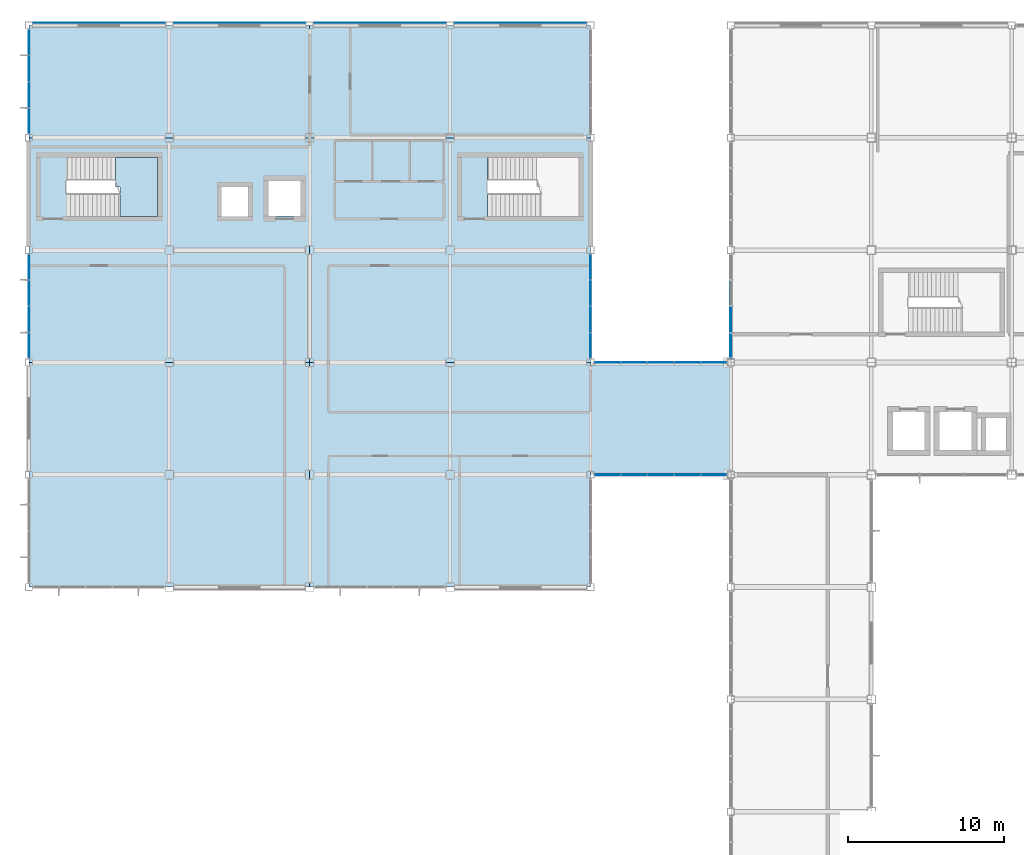
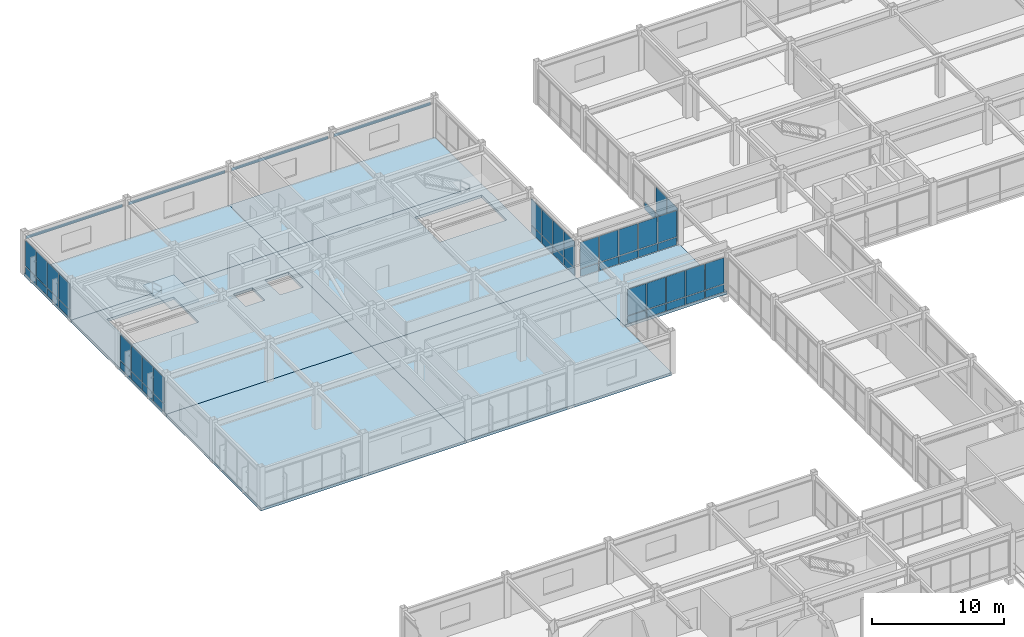
# One storey, part 94 of 122: 53 plates, 8 slabs, 7 elements without a shape of their own.
"""IFC4 building model written with IfcOpenShell, lengths in metres."""

import ifcopenshell
import ifcopenshell.guid

model = None  # the IFC model being written
_history = None  # IfcOwnerHistory: only IFC2X3 demands one
_inside = {}  # id of a spatial element -> (the spatial element, [elements in it])
_under = {}  # id of a project, library or spatial element -> (it, [spatial elements below it])
_declared = {}  # id of a project -> (the project, [libraries it declares])
_typed = {}  # id of a type object -> (the type object, [elements of that type])
_made_of = {}  # id of a material, layer set ... -> (it, [elements and type objects made of it])


def new_model(schema):
    """Start an empty IFC model of exactly this schema.

    Asked for "IFC4X3", IfcOpenShell would pick the latest addendum, in which some entities
    have other attributes; the version numbers below select the first issue.
    IFC2X3 requires an IfcOwnerHistory on every rooted entity: one is made here for all.
    """
    global model, _history
    if schema == "IFC4X3":
        model = ifcopenshell.file(schema_version=(4, 3, 0, 0))
    else:
        model = ifcopenshell.file(schema=schema)
    _inside.clear()
    _under.clear()
    _declared.clear()
    _typed.clear()
    _made_of.clear()
    _history = None
    if model.schema == "IFC2X3":
        org = make("IfcOrganization", Name="unknown")
        user = make(
            "IfcPersonAndOrganization",
            ThePerson=make("IfcPerson", FamilyName="unknown"),
            TheOrganization=org,
        )
        app = make(
            "IfcApplication",
            ApplicationDeveloper=org,
            Version="unknown",
            ApplicationFullName="unknown",
            ApplicationIdentifier="unknown",
        )
        _history = make(
            "IfcOwnerHistory",
            OwningUser=user,
            OwningApplication=app,
            ChangeAction="ADDED",
            CreationDate=0,
        )
    return model


def make(cls, **values):
    """One entity of the class cls with the attributes given. An attribute that is None is left unset."""
    return model.create_entity(
        cls, **{name: value for name, value in values.items() if value is not None}
    )


def rooted(cls, **values):
    """An entity with a GlobalId (a new one), such as an element, a storey or a relation."""
    return make(cls, GlobalId=ifcopenshell.guid.new(), OwnerHistory=_history, **values)


def si_unit(unit_type, name, prefix=None):
    """IfcSIUnit, for example si_unit("LENGTHUNIT", "METRE", prefix="MILLI")."""
    return make("IfcSIUnit", UnitType=unit_type, Prefix=prefix, Name=name)


def assignment(units):
    """IfcUnitAssignment: the units of a project."""
    return None if units is None else make("IfcUnitAssignment", Units=units)


def point(xyz):
    """IfcCartesianPoint."""
    return None if xyz is None else make("IfcCartesianPoint", Coordinates=xyz)


def direction(xyz):
    """IfcDirection."""
    return None if xyz is None else make("IfcDirection", DirectionRatios=xyz)


def frame(location, z_axis=None, x_axis=None):
    """IfcAxis2Placement3D, a coordinate frame: its origin and axes. An axis left out is left unset."""
    return make(
        "IfcAxis2Placement3D",
        Location=point(location),
        Axis=direction(z_axis),
        RefDirection=direction(x_axis),
    )


def frame_2d(location, x_axis=None):
    """IfcAxis2Placement2D, a coordinate frame in the plane: its origin and x axis."""
    return make(
        "IfcAxis2Placement2D", Location=point(location), RefDirection=direction(x_axis)
    )


def origin():
    """The frame at (0, 0, 0) with its axes left unset."""
    return frame((0.0, 0.0, 0.0))


def origin_2d():
    """The frame at (0, 0) in the plane with its x axis left unset."""
    return frame_2d((0.0, 0.0))


def place(relative_to, where):
    """IfcLocalPlacement: puts the frame where relative to a parent placement (None: the world)."""
    return make(
        "IfcLocalPlacement", PlacementRelTo=relative_to, RelativePlacement=where
    )


def context(
    kind, dimensions, precision=None, world=None, true_north=None, identifier=None
):
    """IfcGeometricRepresentationContext, for example the 3D "Model" context."""
    return make(
        "IfcGeometricRepresentationContext",
        ContextIdentifier=identifier,
        ContextType=kind,
        CoordinateSpaceDimension=dimensions,
        Precision=precision,
        WorldCoordinateSystem=world,
        TrueNorth=true_north,
    )


def subcontext(parent, identifier, kind, view, scale=None):
    """IfcGeometricRepresentationSubContext, for example "Body" below "Model"."""
    return make(
        "IfcGeometricRepresentationSubContext",
        ContextIdentifier=identifier,
        ContextType=kind,
        ParentContext=parent,
        TargetScale=scale,
        TargetView=view,
    )


def project(units=None, contexts=None):
    """IfcProject with its units and contexts."""
    return rooted(
        "IfcProject",
        Name="project",
        RepresentationContexts=contexts,
        UnitsInContext=assignment(units),
    )


def spatial(cls, under=None, at=None, **own):
    """A site, building, storey or space (cls), placed at a placement, below another one or the project."""
    s = rooted(cls, ObjectPlacement=at, **own)
    if under is not None:
        _under.setdefault(under.id(), (under, []))[1].append(s)
    return s


def polyline(points):
    """IfcPolyline through the points."""
    return make("IfcPolyline", Points=[point(p) for p in points])


def profile(cls, at=None, kind="AREA", **sizes):
    """A parametric profile (cls). Its sizes go by their IFC names, for example OverallWidth=200.0."""
    return make(cls, ProfileType=kind, Position=at, **sizes)


def rectangle(**sizes):
    """IfcRectangleProfileDef."""
    return profile("IfcRectangleProfileDef", **sizes)


def outline(outer, holes=None, kind="AREA"):
    """IfcArbitraryClosedProfileDef: a profile drawn as a closed curve; with holes, ...WithVoids."""
    if holes is None:
        return make("IfcArbitraryClosedProfileDef", ProfileType=kind, OuterCurve=outer)
    return make(
        "IfcArbitraryProfileDefWithVoids",
        ProfileType=kind,
        OuterCurve=outer,
        InnerCurves=holes,
    )


def extrude(swept, where, along, depth):
    """IfcExtrudedAreaSolid: the profile swept, set in the frame where, extruded along a direction by depth."""
    return make(
        "IfcExtrudedAreaSolid",
        SweptArea=swept,
        Position=where,
        ExtrudedDirection=direction(along),
        Depth=depth,
    )


def shape(context_of_items, identifier, shape_type, items):
    """IfcShapeRepresentation: the items that make up one representation, for example the "Body"."""
    return make(
        "IfcShapeRepresentation",
        ContextOfItems=context_of_items,
        RepresentationIdentifier=identifier,
        RepresentationType=shape_type,
        Items=items,
    )


def material(Name=None, Category=None):
    """IfcMaterial."""
    return make("IfcMaterial", Name=Name, Category=Category)


def layer(
    of_material, thickness, ventilated=None, Name=None, Category=None, Priority=None
):
    """IfcMaterialLayer: one layer of a wall or slab, of a material (None: an air gap)."""
    return make(
        "IfcMaterialLayer",
        Material=of_material,
        LayerThickness=thickness,
        IsVentilated=ventilated,
        Name=Name,
        Category=Category,
        Priority=Priority,
    )


def layer_set(layers, Name=None):
    """IfcMaterialLayerSet."""
    return make("IfcMaterialLayerSet", MaterialLayers=layers, LayerSetName=Name)


def made_of(thing, what):
    """Note that an element or type object is made of a material, layer set ...; save() writes the relation."""
    if what is not None:
        _made_of.setdefault(what.id(), (what, []))[1].append(thing)
    return thing


def type_object(cls, material=None, **own):
    """A type object (cls), such as IfcWallType, which elements share."""
    return made_of(rooted(cls, **own), material)


def element(
    cls,
    number,
    at=None,
    inside=None,
    cuts=None,
    type_object=None,
    material=None,
    context=None,
    identifier="Body",
    shape_type=None,
    held_by="IfcProductDefinitionShape",
    body=None,
    shapes=None,
    **own,
):
    """One element of the class cls, such as IfcWall. Its Tag is "e" and its number.

    at: its placement. inside: the storey or other place that contains it. cuts: it is an
    opening in that element (IfcRelVoidsElement). A single representation is given by context,
    identifier, shape_type and body (its items); several are given by shapes. held_by: the class
    of the entity that holds the representations. save() writes the other relations.
    """
    e = rooted(cls, Tag="e%d" % number, ObjectPlacement=at, **own)
    if body is not None:
        shapes = [shape(context, identifier, shape_type, body)]
    if shapes is not None:
        e.Representation = make(held_by, Representations=shapes)
    if inside is not None:
        _inside.setdefault(inside.id(), (inside, []))[1].append(e)
    if cuts is not None:
        rooted(
            "IfcRelVoidsElement", RelatingBuildingElement=cuts, RelatedOpeningElement=e
        )
    if type_object is not None:
        _typed.setdefault(type_object.id(), (type_object, []))[1].append(e)
    return made_of(e, material)


def aggregate(whole, parts):
    """IfcRelAggregates: a whole, such as a stair, and the parts it consists of."""
    return rooted("IfcRelAggregates", RelatingObject=whole, RelatedObjects=parts)


def save(model, path):
    """Write the relations noted so far, then the file.

    IfcRelAggregates (storeys below a building ...), IfcRelContainedInSpatialStructure (elements
    in a storey), IfcRelDefinesByType, IfcRelAssociatesMaterial and IfcRelDeclares: one each for
    every whole, place, type object, material and project.
    """
    for whole, parts in _under.values():
        aggregate(whole, parts)
    for where, things in _inside.values():
        rooted(
            "IfcRelContainedInSpatialStructure",
            RelatedElements=things,
            RelatingStructure=where,
        )
    for kind, things in _typed.values():
        rooted("IfcRelDefinesByType", RelatedObjects=things, RelatingType=kind)
    for what, things in _made_of.values():
        rooted("IfcRelAssociatesMaterial", RelatedObjects=things, RelatingMaterial=what)
    for by, libraries in _declared.values():
        rooted("IfcRelDeclares", RelatingContext=by, RelatedDefinitions=libraries)
    model.write(path)


model = new_model("IFC4")

# Units and contexts
model_context = context("Model", 3, precision=1e-05, world=origin(), true_north=direction((0.0, 1.0)))
body_context = subcontext(model_context, "Body", "Model", "MODEL_VIEW")
ifc_project = project(units=[si_unit("LENGTHUNIT", "METRE"), si_unit("AREAUNIT", "SQUARE_METRE"), si_unit("VOLUMEUNIT", "CUBIC_METRE"), si_unit("PLANEANGLEUNIT", "RADIAN"), si_unit("MASSUNIT", "GRAM", prefix="KILO")], contexts=[model_context])

# Site, building, storey
site_placement = place(None, origin())
site = spatial("IfcSite", under=ifc_project, at=site_placement, CompositionType="ELEMENT")
building_placement = place(site_placement, origin())
building = spatial("IfcBuilding", under=site, at=building_placement, Name="Kazanami Central Library", CompositionType="ELEMENT")
storey_placement = place(building_placement, frame((0.0, 0.0, 4.800048828125)))
storey = spatial("IfcBuildingStorey", under=building, at=storey_placement, Name="L02", CompositionType="ELEMENT", Elevation=4.800048828125)

# Curtain wall, plates
ifc_material_1 = material(Name="Acid-Etched Low-E Laminated Glass", Category="glass")
curtain_wall_type_1 = type_object("IfcCurtainWallType", Name="CW-6750x3255-M180", PredefinedType="USERDEFINED", material=ifc_material_1)
curtain_wall_1_placement = place(storey_placement, origin())
curtain_wall_1 = element("IfcCurtainWall", 1, at=curtain_wall_1_placement, inside=storey, type_object=curtain_wall_type_1, Name="Unitised Curtain Wall CW-21 L02 W-1-10", ObjectType="UNITISED CURTAIN WALL", PredefinedType="USERDEFINED")
ifc_layer_1 = layer(ifc_material_1, 0.035888671875, Name="Acid-Etched Low-E Laminated Glass")
ifc_layer_set_1 = layer_set([ifc_layer_1], Name="Acid-Etched Low-E Laminated Glass")
plate_type_1 = type_object("IfcPlateType", Name="PLT-CW-P1", PredefinedType="CURTAIN_PANEL", material=ifc_layer_set_1)
plate_1_placement = place(storey_placement, frame((0.0, 73.083740234375, 0.81005859375), z_axis=(0.0, 0.0, 1.0), x_axis=(0.0, 1.0, 0.0)))
plate_1 = element("IfcPlate", 2, at=plate_1_placement, type_object=plate_type_1, Name="CW-21 panel 1.2", PredefinedType="CURTAIN_PANEL", context=body_context, shape_type="SweptSolid", body=[
    extrude(rectangle(XDim=1.597412109375, YDim=0.035888671875, at=origin_2d()), origin(), (0.0, 0.0, 1.0), 2.385009765625),
])
plate_2_placement = place(storey_placement, frame((0.0, 74.75634765625, 0.81005859375), z_axis=(0.0, 0.0, 1.0), x_axis=(0.0, 1.0, 0.0)))
plate_2 = element("IfcPlate", 3, at=plate_2_placement, type_object=plate_type_1, Name="CW-21 panel 2.2", PredefinedType="CURTAIN_PANEL", context=body_context, shape_type="SweptSolid", body=[
    extrude(rectangle(XDim=1.62744140625, YDim=0.035888671875, at=origin_2d()), origin(), (0.0, 0.0, 1.0), 2.385009765625),
])
plate_3_placement = place(storey_placement, frame((0.0, 76.44384765625, 0.81005859375), z_axis=(0.0, 0.0, 1.0), x_axis=(0.0, 1.0, 0.0)))
plate_3 = element("IfcPlate", 4, at=plate_3_placement, type_object=plate_type_1, Name="CW-21 panel 3.2", PredefinedType="CURTAIN_PANEL", context=body_context, shape_type="SweptSolid", body=[
    extrude(rectangle(XDim=1.62744140625, YDim=0.035888671875, at=origin_2d()), origin(), (0.0, 0.0, 1.0), 2.385009765625),
])
plate_4_placement = place(storey_placement, frame((0.0, 78.1162109375, 0.81005859375), z_axis=(0.0, 0.0, 1.0), x_axis=(0.0, 1.0, 0.0)))
plate_4 = element("IfcPlate", 5, at=plate_4_placement, type_object=plate_type_1, Name="CW-21 panel 4.2", PredefinedType="CURTAIN_PANEL", context=body_context, shape_type="SweptSolid", body=[
    extrude(rectangle(XDim=1.597412109375, YDim=0.035888671875, at=origin_2d()), origin(), (0.0, 0.0, 1.0), 2.385009765625),
])

curtain_wall_2_placement = place(storey_placement, origin())
curtain_wall_2 = element("IfcCurtainWall", 6, at=curtain_wall_2_placement, inside=storey, type_object=curtain_wall_type_1, Name="Unitised Curtain Wall CW-21 L02 W-1-12", ObjectType="UNITISED CURTAIN WALL", PredefinedType="USERDEFINED")
plate_5_placement = place(storey_placement, frame((0.0, 87.483642578125, 0.81005859375), z_axis=(0.0, 0.0, 1.0), x_axis=(0.0, 1.0, 0.0)))
plate_5 = element("IfcPlate", 7, at=plate_5_placement, type_object=plate_type_1, Name="CW-21 panel 1.2", PredefinedType="CURTAIN_PANEL", context=body_context, shape_type="SweptSolid", body=[
    extrude(rectangle(XDim=1.597412109375, YDim=0.035888671875, at=origin_2d()), origin(), (0.0, 0.0, 1.0), 2.385009765625),
])
plate_6_placement = place(storey_placement, frame((0.0, 89.15625, 0.81005859375), z_axis=(0.0, 0.0, 1.0), x_axis=(0.0, 1.0, 0.0)))
plate_6 = element("IfcPlate", 8, at=plate_6_placement, type_object=plate_type_1, Name="CW-21 panel 2.2", PredefinedType="CURTAIN_PANEL", context=body_context, shape_type="SweptSolid", body=[
    extrude(rectangle(XDim=1.62744140625, YDim=0.035888671875, at=origin_2d()), origin(), (0.0, 0.0, 1.0), 2.385009765625),
])
plate_7_placement = place(storey_placement, frame((0.0, 90.84375, 0.81005859375), z_axis=(0.0, 0.0, 1.0), x_axis=(0.0, 1.0, 0.0)))
plate_7 = element("IfcPlate", 9, at=plate_7_placement, type_object=plate_type_1, Name="CW-21 panel 3.2", PredefinedType="CURTAIN_PANEL", context=body_context, shape_type="SweptSolid", body=[
    extrude(rectangle(XDim=1.62744140625, YDim=0.035888671875, at=origin_2d()), origin(), (0.0, 0.0, 1.0), 2.385009765625),
])
plate_8_placement = place(storey_placement, frame((0.0, 92.516357421875, 0.81005859375), z_axis=(0.0, 0.0, 1.0), x_axis=(0.0, 1.0, 0.0)))
plate_8 = element("IfcPlate", 10, at=plate_8_placement, type_object=plate_type_1, Name="CW-21 panel 4.2", PredefinedType="CURTAIN_PANEL", context=body_context, shape_type="SweptSolid", body=[
    extrude(rectangle(XDim=1.597412109375, YDim=0.035888671875, at=origin_2d()), origin(), (0.0, 0.0, 1.0), 2.385009765625),
])

curtain_wall_type_2 = type_object("IfcCurtainWallType", Name="CW-8550x3290-M180", PredefinedType="USERDEFINED", material=ifc_material_1)
curtain_wall_3_placement = place(storey_placement, origin())
curtain_wall_3 = element("IfcCurtainWall", 11, at=curtain_wall_3_placement, inside=storey, type_object=curtain_wall_type_2, Name="Covered Link Bridge Curtain Wall CW-12 L02 S-K-04", ObjectType="UNITISED CURTAIN WALL", PredefinedType="USERDEFINED")
ifc_material_2 = material(Name="Low-E Insulated Triple Glass", Category="glass")
ifc_layer_2 = layer(ifc_material_2, 0.0400390625, Name="Low-E Insulated Triple Glass")
ifc_layer_set_2 = layer_set([ifc_layer_2], Name="Low-E Insulated Triple Glass")
plate_type_2 = type_object("IfcPlateType", Name="PLT-CW-P3", PredefinedType="CURTAIN_PANEL", material=ifc_layer_set_2)
plate_9_placement = place(storey_placement, frame((37.094970703125, 64.800048828125, 0.81005859375), z_axis=(0.0, 0.0, 1.0), x_axis=(1.0, 0.0, 0.0)))
plate_9 = element("IfcPlate", 12, at=plate_9_placement, type_object=plate_type_2, Name="CW-12 panel 1.2", PredefinedType="CURTAIN_PANEL", context=body_context, shape_type="SweptSolid", body=[
    extrude(rectangle(XDim=1.6201171875, YDim=0.0400390625, at=origin_2d()), origin(), (0.0, 0.0, 1.0), 2.419921875),
])
plate_10_placement = place(storey_placement, frame((38.7900390625, 64.800048828125, 0.81005859375), z_axis=(0.0, 0.0, 1.0), x_axis=(1.0, 0.0, 0.0)))
plate_10 = element("IfcPlate", 13, at=plate_10_placement, type_object=plate_type_2, Name="CW-12 panel 2.2", PredefinedType="CURTAIN_PANEL", context=body_context, shape_type="SweptSolid", body=[
    extrude(rectangle(XDim=1.64990234375, YDim=0.0400390625, at=origin_2d()), origin(), (0.0, 0.0, 1.0), 2.419921875),
])
plate_11_placement = place(storey_placement, frame((40.5, 64.800048828125, 0.81005859375), z_axis=(0.0, 0.0, 1.0), x_axis=(1.0, 0.0, 0.0)))
plate_11 = element("IfcPlate", 14, at=plate_11_placement, type_object=plate_type_2, Name="CW-12 panel 3.2", PredefinedType="CURTAIN_PANEL", context=body_context, shape_type="SweptSolid", body=[
    extrude(rectangle(XDim=1.64990234375, YDim=0.0400390625, at=origin_2d()), origin(), (0.0, 0.0, 1.0), 2.419921875),
])
plate_12_placement = place(storey_placement, frame((42.2099609375, 64.800048828125, 0.81005859375), z_axis=(0.0, 0.0, 1.0), x_axis=(1.0, 0.0, 0.0)))
plate_12 = element("IfcPlate", 15, at=plate_12_placement, type_object=plate_type_2, Name="CW-12 panel 4.2", PredefinedType="CURTAIN_PANEL", context=body_context, shape_type="SweptSolid", body=[
    extrude(rectangle(XDim=1.64990234375, YDim=0.0400390625, at=origin_2d()), origin(), (0.0, 0.0, 1.0), 2.419921875),
])
plate_13_placement = place(storey_placement, frame((43.905029296875, 64.800048828125, 0.81005859375), z_axis=(0.0, 0.0, 1.0), x_axis=(1.0, 0.0, 0.0)))
plate_13 = element("IfcPlate", 16, at=plate_13_placement, type_object=plate_type_2, Name="CW-12 panel 5.2", PredefinedType="CURTAIN_PANEL", context=body_context, shape_type="SweptSolid", body=[
    extrude(rectangle(XDim=1.6201171875, YDim=0.0400390625, at=origin_2d()), origin(), (0.0, 0.0, 1.0), 2.419921875),
])

curtain_wall_4_placement = place(storey_placement, origin())
curtain_wall_4 = element("IfcCurtainWall", 17, at=curtain_wall_4_placement, inside=storey, type_object=curtain_wall_type_2, Name="Covered Link Bridge Curtain Wall CW-12 L02 N-L-04", ObjectType="UNITISED CURTAIN WALL", PredefinedType="USERDEFINED")
plate_14_placement = place(storey_placement, frame((43.905029296875, 72.0, 0.81005859375), z_axis=(0.0, 0.0, 1.0), x_axis=(-1.0, 0.0, 0.0)))
plate_14 = element("IfcPlate", 18, at=plate_14_placement, type_object=plate_type_2, Name="CW-12 panel 1.2", PredefinedType="CURTAIN_PANEL", context=body_context, shape_type="SweptSolid", body=[
    extrude(rectangle(XDim=1.6201171875, YDim=0.0400390625, at=origin_2d()), origin(), (0.0, 0.0, 1.0), 2.419921875),
])
plate_15_placement = place(storey_placement, frame((42.2099609375, 72.0, 0.81005859375), z_axis=(0.0, 0.0, 1.0), x_axis=(-1.0, 0.0, 0.0)))
plate_15 = element("IfcPlate", 19, at=plate_15_placement, type_object=plate_type_2, Name="CW-12 panel 2.2", PredefinedType="CURTAIN_PANEL", context=body_context, shape_type="SweptSolid", body=[
    extrude(rectangle(XDim=1.64990234375, YDim=0.0400390625, at=origin_2d()), origin(), (0.0, 0.0, 1.0), 2.419921875),
])
plate_16_placement = place(storey_placement, frame((40.5, 72.0, 0.81005859375), z_axis=(0.0, 0.0, 1.0), x_axis=(-1.0, 0.0, 0.0)))
plate_16 = element("IfcPlate", 20, at=plate_16_placement, type_object=plate_type_2, Name="CW-12 panel 3.2", PredefinedType="CURTAIN_PANEL", context=body_context, shape_type="SweptSolid", body=[
    extrude(rectangle(XDim=1.64990234375, YDim=0.0400390625, at=origin_2d()), origin(), (0.0, 0.0, 1.0), 2.419921875),
])
plate_17_placement = place(storey_placement, frame((38.7900390625, 72.0, 0.81005859375), z_axis=(0.0, 0.0, 1.0), x_axis=(-1.0, 0.0, 0.0)))
plate_17 = element("IfcPlate", 21, at=plate_17_placement, type_object=plate_type_2, Name="CW-12 panel 4.2", PredefinedType="CURTAIN_PANEL", context=body_context, shape_type="SweptSolid", body=[
    extrude(rectangle(XDim=1.64990234375, YDim=0.0400390625, at=origin_2d()), origin(), (0.0, 0.0, 1.0), 2.419921875),
])
plate_18_placement = place(storey_placement, frame((37.094970703125, 72.0, 0.81005859375), z_axis=(0.0, 0.0, 1.0), x_axis=(-1.0, 0.0, 0.0)))
plate_18 = element("IfcPlate", 22, at=plate_18_placement, type_object=plate_type_2, Name="CW-12 panel 5.2", PredefinedType="CURTAIN_PANEL", context=body_context, shape_type="SweptSolid", body=[
    extrude(rectangle(XDim=1.6201171875, YDim=0.0400390625, at=origin_2d()), origin(), (0.0, 0.0, 1.0), 2.419921875),
])

curtain_wall_5_placement = place(storey_placement, origin())
curtain_wall_5 = element("IfcCurtainWall", 23, at=curtain_wall_5_placement, inside=storey, type_object=curtain_wall_type_1, Name="Covered Link Bridge Curtain Wall CW-21 L02 E-5-10", ObjectType="UNITISED CURTAIN WALL", PredefinedType="USERDEFINED")
plate_19_placement = place(storey_placement, frame((36.0, 78.1162109375, 0.81005859375), z_axis=(0.0, 0.0, 1.0), x_axis=(0.0, -1.0, 0.0)))
plate_19 = element("IfcPlate", 24, at=plate_19_placement, type_object=plate_type_2, Name="CW-21 panel 1.2", PredefinedType="CURTAIN_PANEL", context=body_context, shape_type="SweptSolid", body=[
    extrude(rectangle(XDim=1.597412109375, YDim=0.0400390625, at=origin_2d()), origin(), (0.0, 0.0, 1.0), 2.385009765625),
])
plate_20_placement = place(storey_placement, frame((36.0, 76.44384765625, 0.81005859375), z_axis=(0.0, 0.0, 1.0), x_axis=(0.0, -1.0, 0.0)))
plate_20 = element("IfcPlate", 25, at=plate_20_placement, type_object=plate_type_2, Name="CW-21 panel 2.2", PredefinedType="CURTAIN_PANEL", context=body_context, shape_type="SweptSolid", body=[
    extrude(rectangle(XDim=1.62744140625, YDim=0.0400390625, at=origin_2d()), origin(), (0.0, 0.0, 1.0), 2.385009765625),
])
plate_21_placement = place(storey_placement, frame((36.0, 74.75634765625, 0.81005859375), z_axis=(0.0, 0.0, 1.0), x_axis=(0.0, -1.0, 0.0)))
plate_21 = element("IfcPlate", 26, at=plate_21_placement, type_object=plate_type_2, Name="CW-21 panel 3.2", PredefinedType="CURTAIN_PANEL", context=body_context, shape_type="SweptSolid", body=[
    extrude(rectangle(XDim=1.62744140625, YDim=0.0400390625, at=origin_2d()), origin(), (0.0, 0.0, 1.0), 2.385009765625),
])
plate_22_placement = place(storey_placement, frame((36.0, 73.083740234375, 0.81005859375), z_axis=(0.0, 0.0, 1.0), x_axis=(0.0, -1.0, 0.0)))
plate_22 = element("IfcPlate", 27, at=plate_22_placement, type_object=plate_type_2, Name="CW-21 panel 4.2", PredefinedType="CURTAIN_PANEL", context=body_context, shape_type="SweptSolid", body=[
    extrude(rectangle(XDim=1.597412109375, YDim=0.0400390625, at=origin_2d()), origin(), (0.0, 0.0, 1.0), 2.385009765625),
])

curtain_wall_6_placement = place(storey_placement, origin())
curtain_wall_6 = element("IfcCurtainWall", 28, at=curtain_wall_6_placement, inside=storey, type_object=curtain_wall_type_1, Name="Covered Link Bridge Curtain Wall CW-21 L02 W-6-10", ObjectType="UNITISED CURTAIN WALL", PredefinedType="USERDEFINED")
plate_23_placement = place(storey_placement, frame((45.0, 73.086181640625, 0.81494140625), z_axis=(0.0, 0.0, 1.0), x_axis=(0.0, 1.0, 0.0)))
plate_23 = element("IfcPlate", 29, at=plate_23_placement, type_object=plate_type_2, Name="CW-21 panel 1.2", PredefinedType="CURTAIN_PANEL", context=body_context, shape_type="SweptSolid", body=[
    extrude(rectangle(XDim=1.58251953125, YDim=0.0400390625, at=origin_2d()), origin(), (0.0, 0.0, 1.0), 2.3701171875),
])
plate_24_placement = place(storey_placement, frame((45.0, 74.75634765625, 0.81494140625), z_axis=(0.0, 0.0, 1.0), x_axis=(0.0, 1.0, 0.0)))
plate_24 = element("IfcPlate", 30, at=plate_24_placement, type_object=plate_type_2, Name="CW-21 panel 2.2", PredefinedType="CURTAIN_PANEL", context=body_context, shape_type="SweptSolid", body=[
    extrude(rectangle(XDim=1.617431640625, YDim=0.0400390625, at=origin_2d()), origin(), (0.0, 0.0, 1.0), 2.3701171875),
])
ifc_material_3 = material(Name="Anodised Aluminium A5052-H32", Category="aluminium")
ifc_layer_3 = layer(ifc_material_3, 0.06005859375, Name="Anodised Aluminium A5052-H32")
ifc_layer_set_3 = layer_set([ifc_layer_3], Name="Anodised Aluminium A5052-H32")
plate_type_3 = type_object("IfcPlateType", Name="PLT-CW-SP1", PredefinedType="CURTAIN_PANEL", material=ifc_layer_set_3)
plate_25_placement = place(storey_placement, frame((45.0, 73.086181640625, 0.06982421875), z_axis=(0.0, 0.0, 1.0), x_axis=(0.0, 1.0, 0.0)))
plate_25 = element("IfcPlate", 31, at=plate_25_placement, type_object=plate_type_3, Name="CW-21 panel 1.1", PredefinedType="CURTAIN_PANEL", context=body_context, shape_type="SweptSolid", body=[
    extrude(rectangle(XDim=1.58251953125, YDim=0.06005859375, at=origin_2d()), origin(), (0.0, 0.0, 1.0), 0.675048828125),
])
plate_26_placement = place(storey_placement, frame((45.0, 74.75634765625, 0.06982421875), z_axis=(0.0, 0.0, 1.0), x_axis=(0.0, 1.0, 0.0)))
plate_26 = element("IfcPlate", 32, at=plate_26_placement, type_object=plate_type_3, Name="CW-21 panel 2.1", PredefinedType="CURTAIN_PANEL", context=body_context, shape_type="SweptSolid", body=[
    extrude(rectangle(XDim=1.617431640625, YDim=0.06005859375, at=origin_2d()), origin(), (0.0, 0.0, 1.0), 0.675048828125),
])
plate_27_placement = place(storey_placement, frame((45.0, 76.44384765625, 0.06982421875), z_axis=(0.0, 0.0, 1.0), x_axis=(0.0, 1.0, 0.0)))
plate_27 = element("IfcPlate", 33, at=plate_27_placement, type_object=plate_type_3, Name="CW-21 panel 3.1", PredefinedType="CURTAIN_PANEL", context=body_context, shape_type="SweptSolid", body=[
    extrude(rectangle(XDim=1.617431640625, YDim=0.06005859375, at=origin_2d()), origin(), (0.0, 0.0, 1.0), 0.675048828125),
])
aggregate(curtain_wall_6, [plate_25, plate_23, plate_26, plate_24, plate_27])

# Plate
ifc_layer_4 = layer(ifc_material_3, 0.052001953125, Name="Anodised Aluminium A5052-H32")
ifc_layer_set_4 = layer_set([ifc_layer_4], Name="Anodised Aluminium A5052-H32")
plate_type_4 = type_object("IfcPlateType", Name="PLT-CW-SP2", PredefinedType="CURTAIN_PANEL", material=ifc_layer_set_4)
plate_28_placement = place(storey_placement, frame((37.094970703125, 64.800048828125, 0.06005859375), z_axis=(0.0, 0.0, 1.0), x_axis=(1.0, 0.0, 0.0)))
plate_28 = element("IfcPlate", 34, at=plate_28_placement, type_object=plate_type_4, Name="CW-12 panel 1.1", PredefinedType="CURTAIN_PANEL", context=body_context, shape_type="SweptSolid", body=[
    extrude(rectangle(XDim=1.6201171875, YDim=0.052001953125, at=origin_2d()), origin(), (0.0, 0.0, 1.0), 0.68994140625),
])

plate_29_placement = place(storey_placement, frame((38.7900390625, 64.800048828125, 0.06005859375), z_axis=(0.0, 0.0, 1.0), x_axis=(1.0, 0.0, 0.0)))
plate_29 = element("IfcPlate", 35, at=plate_29_placement, type_object=plate_type_4, Name="CW-12 panel 2.1", PredefinedType="CURTAIN_PANEL", context=body_context, shape_type="SweptSolid", body=[
    extrude(rectangle(XDim=1.64990234375, YDim=0.052001953125, at=origin_2d()), origin(), (0.0, 0.0, 1.0), 0.68994140625),
])

plate_30_placement = place(storey_placement, frame((40.5, 64.800048828125, 0.06005859375), z_axis=(0.0, 0.0, 1.0), x_axis=(1.0, 0.0, 0.0)))
plate_30 = element("IfcPlate", 36, at=plate_30_placement, type_object=plate_type_4, Name="CW-12 panel 3.1", PredefinedType="CURTAIN_PANEL", context=body_context, shape_type="SweptSolid", body=[
    extrude(rectangle(XDim=1.64990234375, YDim=0.052001953125, at=origin_2d()), origin(), (0.0, 0.0, 1.0), 0.68994140625),
])

plate_31_placement = place(storey_placement, frame((42.2099609375, 64.800048828125, 0.06005859375), z_axis=(0.0, 0.0, 1.0), x_axis=(1.0, 0.0, 0.0)))
plate_31 = element("IfcPlate", 37, at=plate_31_placement, type_object=plate_type_4, Name="CW-12 panel 4.1", PredefinedType="CURTAIN_PANEL", context=body_context, shape_type="SweptSolid", body=[
    extrude(rectangle(XDim=1.64990234375, YDim=0.052001953125, at=origin_2d()), origin(), (0.0, 0.0, 1.0), 0.68994140625),
])

plate_32_placement = place(storey_placement, frame((43.905029296875, 64.800048828125, 0.06005859375), z_axis=(0.0, 0.0, 1.0), x_axis=(1.0, 0.0, 0.0)))
plate_32 = element("IfcPlate", 38, at=plate_32_placement, type_object=plate_type_4, Name="CW-12 panel 5.1", PredefinedType="CURTAIN_PANEL", context=body_context, shape_type="SweptSolid", body=[
    extrude(rectangle(XDim=1.6201171875, YDim=0.052001953125, at=origin_2d()), origin(), (0.0, 0.0, 1.0), 0.68994140625),
])

aggregate(curtain_wall_3, [plate_28, plate_9, plate_29, plate_10, plate_30, plate_11, plate_31, plate_12, plate_32, plate_13])

plate_33_placement = place(storey_placement, frame((43.905029296875, 72.0, 0.06005859375), z_axis=(0.0, 0.0, 1.0), x_axis=(-1.0, 0.0, 0.0)))
plate_33 = element("IfcPlate", 39, at=plate_33_placement, type_object=plate_type_4, Name="CW-12 panel 1.1", PredefinedType="CURTAIN_PANEL", context=body_context, shape_type="SweptSolid", body=[
    extrude(rectangle(XDim=1.6201171875, YDim=0.052001953125, at=origin_2d()), origin(), (0.0, 0.0, 1.0), 0.68994140625),
])

plate_34_placement = place(storey_placement, frame((42.2099609375, 72.0, 0.06005859375), z_axis=(0.0, 0.0, 1.0), x_axis=(-1.0, 0.0, 0.0)))
plate_34 = element("IfcPlate", 40, at=plate_34_placement, type_object=plate_type_4, Name="CW-12 panel 2.1", PredefinedType="CURTAIN_PANEL", context=body_context, shape_type="SweptSolid", body=[
    extrude(rectangle(XDim=1.64990234375, YDim=0.052001953125, at=origin_2d()), origin(), (0.0, 0.0, 1.0), 0.68994140625),
])

plate_35_placement = place(storey_placement, frame((40.5, 72.0, 0.06005859375), z_axis=(0.0, 0.0, 1.0), x_axis=(-1.0, 0.0, 0.0)))
plate_35 = element("IfcPlate", 41, at=plate_35_placement, type_object=plate_type_4, Name="CW-12 panel 3.1", PredefinedType="CURTAIN_PANEL", context=body_context, shape_type="SweptSolid", body=[
    extrude(rectangle(XDim=1.64990234375, YDim=0.052001953125, at=origin_2d()), origin(), (0.0, 0.0, 1.0), 0.68994140625),
])

plate_36_placement = place(storey_placement, frame((38.7900390625, 72.0, 0.06005859375), z_axis=(0.0, 0.0, 1.0), x_axis=(-1.0, 0.0, 0.0)))
plate_36 = element("IfcPlate", 42, at=plate_36_placement, type_object=plate_type_4, Name="CW-12 panel 4.1", PredefinedType="CURTAIN_PANEL", context=body_context, shape_type="SweptSolid", body=[
    extrude(rectangle(XDim=1.64990234375, YDim=0.052001953125, at=origin_2d()), origin(), (0.0, 0.0, 1.0), 0.68994140625),
])

plate_37_placement = place(storey_placement, frame((37.094970703125, 72.0, 0.06005859375), z_axis=(0.0, 0.0, 1.0), x_axis=(-1.0, 0.0, 0.0)))
plate_37 = element("IfcPlate", 43, at=plate_37_placement, type_object=plate_type_4, Name="CW-12 panel 5.1", PredefinedType="CURTAIN_PANEL", context=body_context, shape_type="SweptSolid", body=[
    extrude(rectangle(XDim=1.6201171875, YDim=0.052001953125, at=origin_2d()), origin(), (0.0, 0.0, 1.0), 0.68994140625),
])

aggregate(curtain_wall_4, [plate_33, plate_14, plate_34, plate_15, plate_35, plate_16, plate_36, plate_17, plate_37, plate_18])

plate_38_placement = place(storey_placement, frame((36.0, 78.1162109375, 0.06005859375), z_axis=(0.0, 0.0, 1.0), x_axis=(0.0, -1.0, 0.0)))
plate_38 = element("IfcPlate", 44, at=plate_38_placement, type_object=plate_type_4, Name="CW-21 panel 1.1", PredefinedType="CURTAIN_PANEL", context=body_context, shape_type="SweptSolid", body=[
    extrude(rectangle(XDim=1.597412109375, YDim=0.052001953125, at=origin_2d()), origin(), (0.0, 0.0, 1.0), 0.68994140625),
])

plate_39_placement = place(storey_placement, frame((36.0, 76.44384765625, 0.06005859375), z_axis=(0.0, 0.0, 1.0), x_axis=(0.0, -1.0, 0.0)))
plate_39 = element("IfcPlate", 45, at=plate_39_placement, type_object=plate_type_4, Name="CW-21 panel 2.1", PredefinedType="CURTAIN_PANEL", context=body_context, shape_type="SweptSolid", body=[
    extrude(rectangle(XDim=1.62744140625, YDim=0.052001953125, at=origin_2d()), origin(), (0.0, 0.0, 1.0), 0.68994140625),
])

plate_40_placement = place(storey_placement, frame((36.0, 74.75634765625, 0.06005859375), z_axis=(0.0, 0.0, 1.0), x_axis=(0.0, -1.0, 0.0)))
plate_40 = element("IfcPlate", 46, at=plate_40_placement, type_object=plate_type_4, Name="CW-21 panel 3.1", PredefinedType="CURTAIN_PANEL", context=body_context, shape_type="SweptSolid", body=[
    extrude(rectangle(XDim=1.62744140625, YDim=0.052001953125, at=origin_2d()), origin(), (0.0, 0.0, 1.0), 0.68994140625),
])

plate_41_placement = place(storey_placement, frame((36.0, 73.083740234375, 0.06005859375), z_axis=(0.0, 0.0, 1.0), x_axis=(0.0, -1.0, 0.0)))
plate_41 = element("IfcPlate", 47, at=plate_41_placement, type_object=plate_type_4, Name="CW-21 panel 4.1", PredefinedType="CURTAIN_PANEL", context=body_context, shape_type="SweptSolid", body=[
    extrude(rectangle(XDim=1.597412109375, YDim=0.052001953125, at=origin_2d()), origin(), (0.0, 0.0, 1.0), 0.68994140625),
])

aggregate(curtain_wall_5, [plate_38, plate_19, plate_39, plate_20, plate_40, plate_21, plate_41, plate_22])

ifc_layer_5 = layer(ifc_material_3, 0.048095703125, Name="Anodised Aluminium A5052-H32")
ifc_layer_set_5 = layer_set([ifc_layer_5], Name="Anodised Aluminium A5052-H32")
plate_type_5 = type_object("IfcPlateType", Name="PLT-CW-SP3", PredefinedType="CURTAIN_PANEL", material=ifc_layer_set_5)
plate_42_placement = place(storey_placement, frame((0.0, 73.083740234375, 0.06005859375), z_axis=(0.0, 0.0, 1.0), x_axis=(0.0, 1.0, 0.0)))
plate_42 = element("IfcPlate", 48, at=plate_42_placement, type_object=plate_type_5, Name="CW-21 panel 1.1", PredefinedType="CURTAIN_PANEL", context=body_context, shape_type="SweptSolid", body=[
    extrude(rectangle(XDim=1.597412109375, YDim=0.048095703125, at=origin_2d()), origin(), (0.0, 0.0, 1.0), 0.68994140625),
])

plate_43_placement = place(storey_placement, frame((0.0, 74.75634765625, 0.06005859375), z_axis=(0.0, 0.0, 1.0), x_axis=(0.0, 1.0, 0.0)))
plate_43 = element("IfcPlate", 49, at=plate_43_placement, type_object=plate_type_5, Name="CW-21 panel 2.1", PredefinedType="CURTAIN_PANEL", context=body_context, shape_type="SweptSolid", body=[
    extrude(rectangle(XDim=1.62744140625, YDim=0.048095703125, at=origin_2d()), origin(), (0.0, 0.0, 1.0), 0.68994140625),
])

plate_44_placement = place(storey_placement, frame((0.0, 76.44384765625, 0.06005859375), z_axis=(0.0, 0.0, 1.0), x_axis=(0.0, 1.0, 0.0)))
plate_44 = element("IfcPlate", 50, at=plate_44_placement, type_object=plate_type_5, Name="CW-21 panel 3.1", PredefinedType="CURTAIN_PANEL", context=body_context, shape_type="SweptSolid", body=[
    extrude(rectangle(XDim=1.62744140625, YDim=0.048095703125, at=origin_2d()), origin(), (0.0, 0.0, 1.0), 0.68994140625),
])

plate_45_placement = place(storey_placement, frame((0.0, 78.1162109375, 0.06005859375), z_axis=(0.0, 0.0, 1.0), x_axis=(0.0, 1.0, 0.0)))
plate_45 = element("IfcPlate", 51, at=plate_45_placement, type_object=plate_type_5, Name="CW-21 panel 4.1", PredefinedType="CURTAIN_PANEL", context=body_context, shape_type="SweptSolid", body=[
    extrude(rectangle(XDim=1.597412109375, YDim=0.048095703125, at=origin_2d()), origin(), (0.0, 0.0, 1.0), 0.68994140625),
])

aggregate(curtain_wall_1, [plate_42, plate_1, plate_43, plate_2, plate_44, plate_3, plate_45, plate_4])

plate_46_placement = place(storey_placement, frame((0.0, 87.483642578125, 0.06005859375), z_axis=(0.0, 0.0, 1.0), x_axis=(0.0, 1.0, 0.0)))
plate_46 = element("IfcPlate", 52, at=plate_46_placement, type_object=plate_type_5, Name="CW-21 panel 1.1", PredefinedType="CURTAIN_PANEL", context=body_context, shape_type="SweptSolid", body=[
    extrude(rectangle(XDim=1.597412109375, YDim=0.048095703125, at=origin_2d()), origin(), (0.0, 0.0, 1.0), 0.68994140625),
])

plate_47_placement = place(storey_placement, frame((0.0, 89.15625, 0.06005859375), z_axis=(0.0, 0.0, 1.0), x_axis=(0.0, 1.0, 0.0)))
plate_47 = element("IfcPlate", 53, at=plate_47_placement, type_object=plate_type_5, Name="CW-21 panel 2.1", PredefinedType="CURTAIN_PANEL", context=body_context, shape_type="SweptSolid", body=[
    extrude(rectangle(XDim=1.62744140625, YDim=0.048095703125, at=origin_2d()), origin(), (0.0, 0.0, 1.0), 0.68994140625),
])

plate_48_placement = place(storey_placement, frame((0.0, 90.84375, 0.06005859375), z_axis=(0.0, 0.0, 1.0), x_axis=(0.0, 1.0, 0.0)))
plate_48 = element("IfcPlate", 54, at=plate_48_placement, type_object=plate_type_5, Name="CW-21 panel 3.1", PredefinedType="CURTAIN_PANEL", context=body_context, shape_type="SweptSolid", body=[
    extrude(rectangle(XDim=1.62744140625, YDim=0.048095703125, at=origin_2d()), origin(), (0.0, 0.0, 1.0), 0.68994140625),
])

plate_49_placement = place(storey_placement, frame((0.0, 92.516357421875, 0.06005859375), z_axis=(0.0, 0.0, 1.0), x_axis=(0.0, 1.0, 0.0)))
plate_49 = element("IfcPlate", 55, at=plate_49_placement, type_object=plate_type_5, Name="CW-21 panel 4.1", PredefinedType="CURTAIN_PANEL", context=body_context, shape_type="SweptSolid", body=[
    extrude(rectangle(XDim=1.597412109375, YDim=0.048095703125, at=origin_2d()), origin(), (0.0, 0.0, 1.0), 0.68994140625),
])

aggregate(curtain_wall_2, [plate_46, plate_5, plate_47, plate_6, plate_48, plate_7, plate_49, plate_8])

# Plates
ifc_layer_6 = layer(ifc_material_3, 0.013916015625, Name="Anodised Aluminium A5052-H32")
ifc_layer_set_6 = layer_set([ifc_layer_6], Name="Anodised Aluminium A5052-H32")
plate_type_6 = type_object("IfcPlateType", Name="PLT-SPN-14", PredefinedType="SHEET", material=ifc_layer_set_6)
plate_50_placement = place(storey_placement, frame((4.5, 93.76708984375, 2.94482421875), z_axis=(0.0, 0.0, 1.0), x_axis=(-1.0, 0.0, 0.0)))
element("IfcPlate", 56, at=plate_50_placement, inside=storey, type_object=plate_type_6, Name="Architectural Spandrel Sheet SPN-14 L02 N-O-00", PredefinedType="SHEET", context=body_context, shape_type="SweptSolid", body=[
    extrude(rectangle(XDim=8.449951171875, YDim=0.013916015625, at=origin_2d()), origin(), (0.0, 0.0, 1.0), 0.300048828125),
])
ifc_layer_7 = layer(ifc_material_3, 0.01611328125, Name="Anodised Aluminium A5052-H32")
ifc_layer_set_7 = layer_set([ifc_layer_7], Name="Anodised Aluminium A5052-H32")
plate_type_7 = type_object("IfcPlateType", Name="PLT-SPN-16", PredefinedType="SHEET", material=ifc_layer_set_7)
plate_51_placement = place(storey_placement, frame((13.5, 93.76806640625, 2.94482421875), z_axis=(0.0, 0.0, 1.0), x_axis=(-1.0, 0.0, 0.0)))
element("IfcPlate", 57, at=plate_51_placement, inside=storey, type_object=plate_type_7, Name="Architectural Spandrel Sheet SPN-16 L02 N-O-01", PredefinedType="SHEET", context=body_context, shape_type="SweptSolid", body=[
    extrude(rectangle(XDim=8.449951171875, YDim=0.01611328125, at=origin_2d()), origin(), (0.0, 0.0, 1.0), 0.300048828125),
])
ifc_layer_8 = layer(ifc_material_3, 0.01806640625, Name="Anodised Aluminium A5052-H32")
ifc_layer_set_8 = layer_set([ifc_layer_8], Name="Anodised Aluminium A5052-H32")
plate_type_8 = type_object("IfcPlateType", Name="PLT-SPN-18", PredefinedType="SHEET", material=ifc_layer_set_8)
plate_52_placement = place(storey_placement, frame((22.5, 93.76904296875, 2.94482421875), z_axis=(0.0, 0.0, 1.0), x_axis=(-1.0, 0.0, 0.0)))
element("IfcPlate", 58, at=plate_52_placement, inside=storey, type_object=plate_type_8, Name="Architectural Spandrel Sheet SPN-18 L02 N-O-02", PredefinedType="SHEET", context=body_context, shape_type="SweptSolid", body=[
    extrude(rectangle(XDim=8.449951171875, YDim=0.01806640625, at=origin_2d()), origin(), (0.0, 0.0, 1.0), 0.300048828125),
])
ifc_layer_9 = layer(ifc_material_3, 0.02001953125, Name="Anodised Aluminium A5052-H32")
ifc_layer_set_9 = layer_set([ifc_layer_9], Name="Anodised Aluminium A5052-H32")
plate_type_9 = type_object("IfcPlateType", Name="PLT-SPN-20", PredefinedType="SHEET", material=ifc_layer_set_9)
plate_53_placement = place(storey_placement, frame((31.5, 93.77001953125, 2.94482421875), z_axis=(0.0, 0.0, 1.0), x_axis=(-1.0, 0.0, 0.0)))
element("IfcPlate", 59, at=plate_53_placement, inside=storey, type_object=plate_type_9, Name="Architectural Spandrel Sheet SPN-20 L02 N-O-03", PredefinedType="SHEET", context=body_context, shape_type="SweptSolid", body=[
    extrude(rectangle(XDim=8.449951171875, YDim=0.02001953125, at=origin_2d()), origin(), (0.0, 0.0, 1.0), 0.300048828125),
])

# Slabs
ifc_material_4 = material(Name="Concrete Fc36 (36 MPa)", Category="concrete")
ifc_layer_10 = layer(ifc_material_4, 0.2451171875, Name="Concrete Fc36 (36 MPa)")
ifc_layer_set_10 = layer_set([ifc_layer_10], Name="Concrete Fc36 (36 MPa)")
slab_type_1 = type_object("IfcSlabType", Name="SLB-FLR-245", PredefinedType="FLOOR", material=ifc_layer_set_10)
slab_1_placement = place(storey_placement, frame((0.0, 0.0, -0.2451171875)))
element("IfcSlab", 60, at=slab_1_placement, inside=storey, type_object=slab_type_1, Name="Composite Floor Slab L02 V4-RES Zone 5", PredefinedType="FLOOR", context=body_context, shape_type="SweptSolid", body=[
    extrude(outline(polyline([(0.0, 57.60009765625), (18.0, 57.60009765625), (18.0, 72.0), (0.0, 72.0), (0.0, 57.60009765625)])), origin(), (0.0, 0.0, 1.0), 0.2451171875),
])
slab_2_placement = place(storey_placement, frame((0.0, 0.0, -0.2451171875)))
element("IfcSlab", 61, at=slab_2_placement, inside=storey, type_object=slab_type_1, Name="Composite Floor Slab L02 V4-RES Zone 6", PredefinedType="FLOOR", context=body_context, shape_type="SweptSolid", body=[
    extrude(outline(polyline([(0.0, 72.0), (18.0, 72.0), (18.0, 86.39990234375), (0.0, 86.39990234375), (0.0, 72.0)]), holes=[polyline([(2.39990234375, 81.35009765625), (8.25, 81.35009765625), (8.25, 85.14990234375), (2.39990234375, 85.14990234375), (2.39990234375, 81.35009765625)]), polyline([(15.375, 81.375), (17.425048828125, 81.375), (17.425048828125, 83.625), (15.375, 83.625), (15.375, 81.375)]), polyline([(12.35009765625, 81.35009765625), (14.050048828125, 81.35009765625), (14.050048828125, 83.25), (12.35009765625, 83.25), (12.35009765625, 81.35009765625)])]), origin(), (0.0, 0.0, 1.0), 0.2451171875),
])
slab_3_placement = place(storey_placement, frame((0.0, 0.0, -0.2451171875)))
element("IfcSlab", 62, at=slab_3_placement, inside=storey, type_object=slab_type_1, Name="Composite Floor Slab L02 V4-RES Zone 7", PredefinedType="FLOOR", context=body_context, shape_type="SweptSolid", body=[
    extrude(outline(polyline([(0.0, 86.39990234375), (18.0, 86.39990234375), (18.0, 93.60009765625), (0.0, 93.60009765625), (0.0, 86.39990234375)])), origin(), (0.0, 0.0, 1.0), 0.2451171875),
])
slab_4_placement = place(storey_placement, frame((0.0, 0.0, -0.2451171875)))
element("IfcSlab", 63, at=slab_4_placement, inside=storey, type_object=slab_type_1, Name="Composite Floor Slab L02 V4-RES Zone 8", PredefinedType="FLOOR", context=body_context, shape_type="SweptSolid", body=[
    extrude(outline(polyline([(18.0, 57.60009765625), (36.0, 57.60009765625), (36.0, 72.0), (18.0, 72.0), (18.0, 57.60009765625)])), origin(), (0.0, 0.0, 1.0), 0.2451171875),
])
slab_5_placement = place(storey_placement, frame((0.0, 0.0, -0.2451171875)))
element("IfcSlab", 64, at=slab_5_placement, inside=storey, type_object=slab_type_1, Name="Composite Floor Slab L02 V4-RES Zone 9", PredefinedType="FLOOR", context=body_context, shape_type="SweptSolid", body=[
    extrude(outline(polyline([(18.0, 72.0), (36.0, 72.0), (36.0, 86.39990234375), (18.0, 86.39990234375), (18.0, 72.0)]), holes=[polyline([(29.39990234375, 81.35009765625), (35.25, 81.35009765625), (35.25, 85.14990234375), (29.39990234375, 85.14990234375), (29.39990234375, 81.35009765625)])]), origin(), (0.0, 0.0, 1.0), 0.2451171875),
])
slab_6_placement = place(storey_placement, frame((0.0, 0.0, -0.2451171875)))
element("IfcSlab", 65, at=slab_6_placement, inside=storey, type_object=slab_type_1, Name="Composite Floor Slab L02 V4-RES Zone 10", PredefinedType="FLOOR", context=body_context, shape_type="SweptSolid", body=[
    extrude(outline(polyline([(18.0, 86.39990234375), (36.0, 86.39990234375), (36.0, 93.60009765625), (18.0, 93.60009765625), (18.0, 86.39990234375)])), origin(), (0.0, 0.0, 1.0), 0.2451171875),
])
slab_7_placement = place(storey_placement, frame((0.0, 0.0, -0.2451171875)))
element("IfcSlab", 66, at=slab_7_placement, inside=storey, type_object=slab_type_1, Name="Covered Seismic-Joint Link Bridge Slab L02 BRG-WN", PredefinedType="FLOOR", context=body_context, shape_type="SweptSolid", body=[
    extrude(outline(polyline([(36.0, 64.800048828125), (45.0, 64.800048828125), (45.0, 72.0), (36.0, 72.0), (36.0, 64.800048828125)])), origin(), (0.0, 0.0, 1.0), 0.2451171875),
])

# Stair, slab
stair_type = type_object("IfcStairType", Name="STR-T40", PredefinedType="HALF_TURN_STAIR", material=ifc_material_4)
stair_placement = place(storey_placement, origin())
stair = element("IfcStair", 67, at=stair_placement, inside=storey, type_object=stair_type, Name="Enclosed Escape Stair ST-05 (L02)", PredefinedType="HALF_TURN_STAIR")
ifc_layer_11 = layer(ifc_material_4, 0.179931640625, Name="Concrete Fc36 (36 MPa)")
ifc_layer_set_11 = layer_set([ifc_layer_11], Name="Concrete Fc36 (36 MPa)")
slab_type_2 = type_object("IfcSlabType", Name="SLB-LND-180", PredefinedType="LANDING", material=ifc_layer_set_11)
slab_8_placement = place(storey_placement, frame((0.0, 0.0, 1.89990234375)))
slab_8 = element("IfcSlab", 68, at=slab_8_placement, type_object=slab_type_2, Name="ST-05 landing 1", PredefinedType="LANDING", context=body_context, shape_type="SweptSolid", body=[
    extrude(outline(polyline([(5.827880859375, 81.35009765625), (8.25, 81.35009765625), (8.25, 85.14990234375), (5.548095703125, 85.14990234375), (5.548095703125, 83.25), (5.827880859375, 83.25), (5.827880859375, 81.35009765625)])), origin(), (0.0, 0.0, 1.0), 0.179931640625),
])
aggregate(stair, [slab_8])

save(model, "model.ifc")
